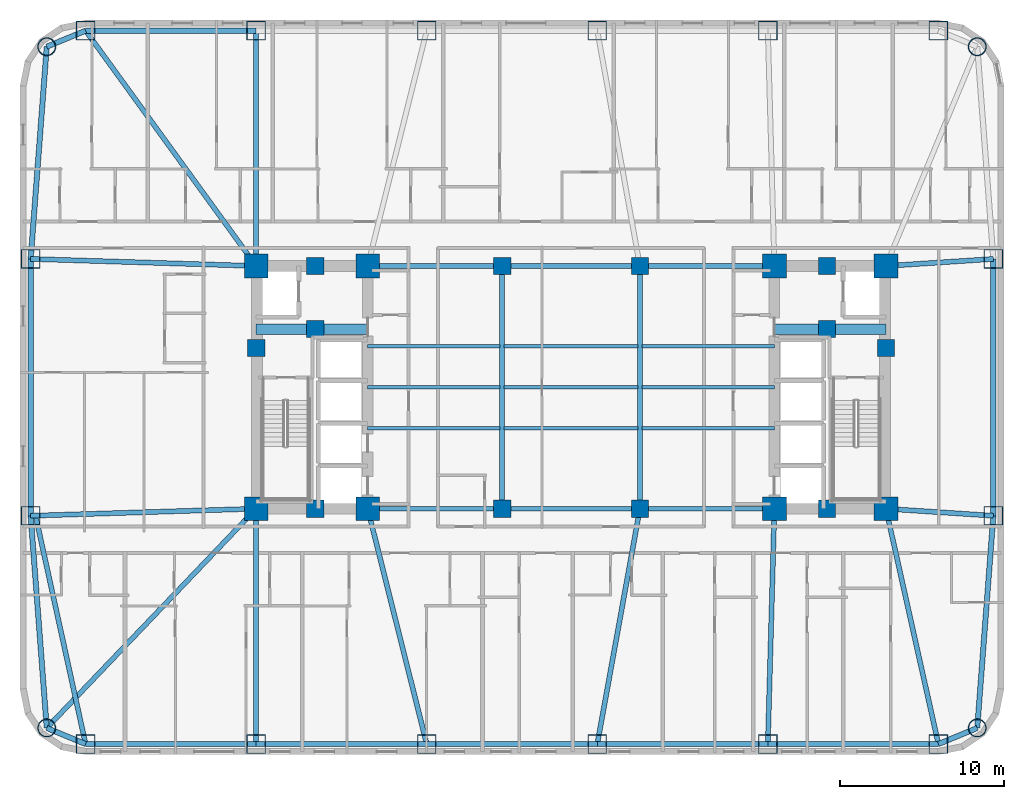
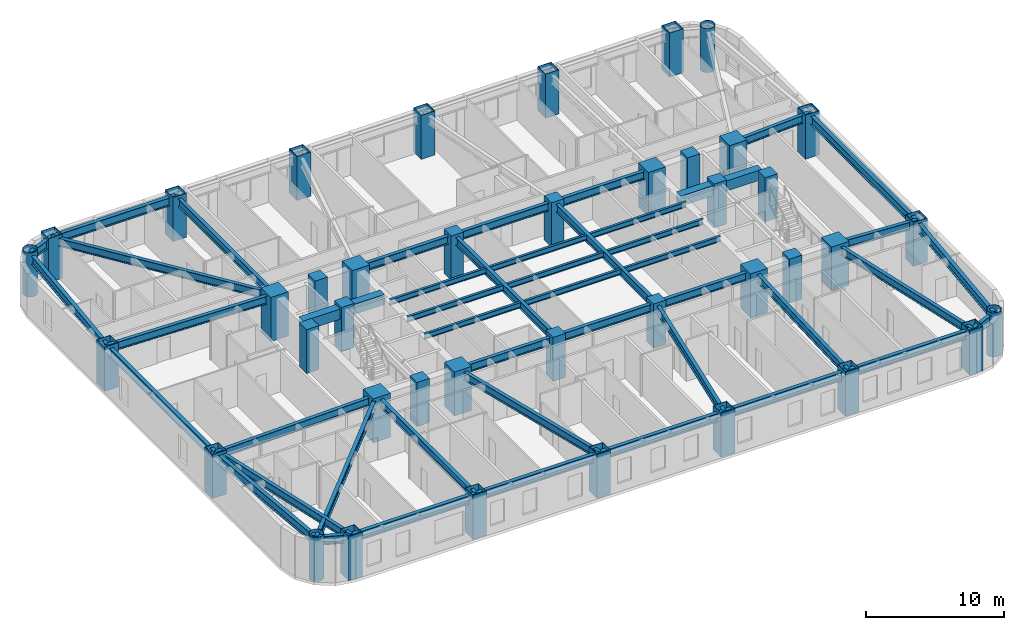
# One storey, part 1 of 11: 46 beams, 40 columns.
"""IFC4 building model written with IfcOpenShell, lengths in metres."""

from ifc_helpers import new_model, si_unit, direction, frame, origin, origin_2d, place, context, subcontext, project, spatial, rectangle, hollow_rectangle, hollow_circle, i_section, extrude, material, material_profile, profile_set, type_object, element, save


model = new_model("IFC4")

# Units and contexts
model_context = context("Model", 3, precision=1e-05, world=origin(), true_north=direction((0.0, 1.0)))
body_context = subcontext(model_context, "Body", "Model", "MODEL_VIEW")
ifc_project = project(units=[si_unit("LENGTHUNIT", "METRE"), si_unit("AREAUNIT", "SQUARE_METRE"), si_unit("VOLUMEUNIT", "CUBIC_METRE"), si_unit("PLANEANGLEUNIT", "RADIAN"), si_unit("MASSUNIT", "GRAM", prefix="KILO")], contexts=[model_context])

# Site, building, storey
site_placement = place(None, origin())
site = spatial("IfcSite", under=ifc_project, at=site_placement, CompositionType="ELEMENT")
building_placement = place(site_placement, origin())
building = spatial("IfcBuilding", under=site, at=building_placement, Name="Voryun Gate Residences", CompositionType="ELEMENT")
storey_placement = place(building_placement, frame((0.0, 0.0, 45.5)))
storey = spatial("IfcBuildingStorey", under=building, at=storey_placement, Name="L10", CompositionType="ELEMENT", Elevation=45.5)

# Columns
ifc_material_1 = material(Name="Concrete C50/60", Category="concrete")
ifc_material_profile_1 = material_profile(ifc_material_1, rectangle(XDim=1.050048828125, YDim=1.050048828125, at=origin_2d()), Name="RC-1050x1050")
ifc_profile_set_1 = profile_set([ifc_material_profile_1], Name="Concrete C50/60")
column_type_1 = type_object("IfcColumnType", Name="COL_CORE_1050", PredefinedType="COLUMN", material=ifc_profile_set_1)
for number, where, z_axis, x_axis, name in (
    (1, (-19.199951171875, 2.39990234375, 0.0), (0.0, 0.0, 1.0), (1.0, 0.0, 0.0), "L10 Core boundary column WC-MW"),
    (2, (-15.60009765625, -7.39990234375, 0.0), (0.0, 0.0, 1.0), (1.0, 0.0, 0.0), "L10 Core boundary column WC-SM"),
    (3, (-15.60009765625, 7.39990234375, 0.0), (0.0, 0.0, 1.0), (1.0, 0.0, 0.0), "L10 Core boundary column WC-NM"),
    (4, (-15.60009765625, 3.550048828125, 0.0), (0.0, 0.0, 1.0), (1.0, 0.0, 0.0), "L10 Core boundary column WC-MM"),
    (5, (15.60009765625, 3.550048828125, 0.0), (0.0, 0.0, 1.0), (1.0, 0.0, 0.0), "L10 Core boundary column EC-MM"),
    (6, (15.60009765625, -7.39990234375, 0.0), (0.0, 0.0, 1.0), (1.0, 0.0, 0.0), "L10 Core boundary column EC-SM"),
    (7, (15.60009765625, 7.39990234375, 0.0), (0.0, 0.0, 1.0), (1.0, 0.0, 0.0), "L10 Core boundary column EC-NM"),
    (8, (19.199951171875, 2.39990234375, 0.0), (0.0, 0.0, 1.0), (1.0, 0.0, 0.0), "L10 Core boundary column EC-ME"),
    (9, (-4.199951171875, -7.39990234375, 0.0), (0.0, 0.0, 1.0), (1.0, 0.0, 0.0), "L10 Interior spine column SP-WS"),
    (10, (-4.199951171875, 7.39990234375, 0.0), (0.0, 0.0, 1.0), (1.0, 0.0, 0.0), "L10 Interior spine column SP-WN"),
    (11, (4.199951171875, -7.39990234375, 0.0), (0.0, 0.0, 1.0), (1.0, 0.0, 0.0), "L10 Interior spine column SP-ES"),
    (12, (4.199951171875, 7.39990234375, 0.0), (0.0, 0.0, 1.0), (1.0, 0.0, 0.0), "L10 Interior spine column SP-EN"),
):
    element("IfcColumn", number, at=place(storey_placement, frame(where, z_axis=z_axis, x_axis=x_axis)), inside=storey, type_object=column_type_1, Name=name, PredefinedType="COLUMN", context=body_context, shape_type="SweptSolid", body=[
        extrude(rectangle(XDim=1.050048828125, YDim=1.050048828125, at=origin_2d()), origin(), (0.0, 0.0, 1.0), 3.89990234375),
    ])
ifc_material_2 = material(Name="Steel SM420", Category="steel")
ifc_material_profile_2 = material_profile(ifc_material_2, hollow_circle(Radius=0.550048828125, WallThickness=0.035888671875, at=origin_2d()), Name="CHS-1100x36")
ifc_profile_set_2 = profile_set([ifc_material_profile_2], Name="Steel SM420")
column_type_2 = type_object("IfcColumnType", Name="COL_CRN_1100", PredefinedType="COLUMN", material=ifc_profile_set_2)
for number, where, z_axis, x_axis, name in (
    (13, (24.768798828125, -20.768798828125, 0.0), (0.0, 0.0, 1.0), (1.0, 0.0, 0.0), "L10 Exoskeleton column CSE"),
    (14, (24.768798828125, 20.768798828125, 0.0), (0.0, 0.0, 1.0), (1.0, 0.0, 0.0), "L10 Exoskeleton column CNE"),
    (15, (-31.96875, 20.768798828125, 0.0), (0.0, 0.0, 1.0), (1.0, 0.0, 0.0), "L10 Exoskeleton column CNW"),
    (16, (-31.96875, -20.768798828125, 0.0), (0.0, 0.0, 1.0), (1.0, 0.0, 0.0), "L10 Exoskeleton column CSW"),
):
    element("IfcColumn", number, at=place(storey_placement, frame(where, z_axis=z_axis, x_axis=x_axis)), inside=storey, type_object=column_type_2, Name=name, PredefinedType="COLUMN", context=body_context, shape_type="SweptSolid", body=[
        extrude(hollow_circle(Radius=0.550048828125, WallThickness=0.035888671875, at=origin_2d()), origin(), (0.0, 0.0, 1.0), 3.89990234375),
    ])
ifc_material_3 = material(Name="Steel SM420", Category="steel")
ifc_material_profile_3 = material_profile(ifc_material_3, hollow_rectangle(XDim=1.14990234375, YDim=1.14990234375, WallThickness=0.0400390625, at=origin_2d()), Name="BOX-1150x1150x40")
ifc_profile_set_3 = profile_set([ifc_material_profile_3], Name="Steel SM420")
column_type_3 = type_object("IfcColumnType", Name="COL_EXO_B1", PredefinedType="COLUMN", material=ifc_profile_set_3)
for number, where, z_axis, x_axis, name in (
    (17, (-29.60009765625, -21.75, 0.0), (0.0, 0.0, 1.0), (1.0, 0.0, 0.0), "L10 Exoskeleton column S1"),
    (18, (-19.199951171875, -21.75, 0.0), (0.0, 0.0, 1.0), (1.0, 0.0, 0.0), "L10 Exoskeleton column S2"),
    (19, (-8.800048828125, -21.75, 0.0), (0.0, 0.0, 1.0), (1.0, 0.0, 0.0), "L10 Exoskeleton column S3"),
    (20, (1.60009765625, -21.75, 0.0), (0.0, 0.0, 1.0), (1.0, 0.0, 0.0), "L10 Exoskeleton column S4"),
    (21, (12.0, -21.75, 0.0), (0.0, 0.0, 1.0), (1.0, 0.0, 0.0), "L10 Exoskeleton column S5"),
    (22, (22.39990234375, -21.75, 0.0), (0.0, 0.0, 1.0), (1.0, 0.0, 0.0), "L10 Exoskeleton column S6"),
    (23, (25.75, -7.830078125, 0.0), (0.0, 0.0, 1.0), (1.0, 0.0, 0.0), "L10 Exoskeleton column E1"),
    (24, (25.75, 7.830078125, 0.0), (0.0, 0.0, 1.0), (1.0, 0.0, 0.0), "L10 Exoskeleton column E2"),
    (25, (22.39990234375, 21.75, 0.0), (0.0, 0.0, 1.0), (1.0, 0.0, 0.0), "L10 Exoskeleton column N1"),
    (26, (12.0, 21.75, 0.0), (0.0, 0.0, 1.0), (1.0, 0.0, 0.0), "L10 Exoskeleton column N2"),
    (27, (1.60009765625, 21.75, 0.0), (0.0, 0.0, 1.0), (1.0, 0.0, 0.0), "L10 Exoskeleton column N3"),
    (28, (-8.800048828125, 21.75, 0.0), (0.0, 0.0, 1.0), (1.0, 0.0, 0.0), "L10 Exoskeleton column N4"),
    (29, (-19.199951171875, 21.75, 0.0), (0.0, 0.0, 1.0), (1.0, 0.0, 0.0), "L10 Exoskeleton column N5"),
    (30, (-29.60009765625, 21.75, 0.0), (0.0, 0.0, 1.0), (1.0, 0.0, 0.0), "L10 Exoskeleton column N6"),
    (31, (-32.949951171875, 7.830078125, 0.0), (0.0, 0.0, 1.0), (1.0, 0.0, 0.0), "L10 Exoskeleton column W1"),
    (32, (-32.949951171875, -7.830078125, 0.0), (0.0, 0.0, 1.0), (1.0, 0.0, 0.0), "L10 Exoskeleton column W2"),
):
    element("IfcColumn", number, at=place(storey_placement, frame(where, z_axis=z_axis, x_axis=x_axis)), inside=storey, type_object=column_type_3, Name=name, PredefinedType="COLUMN", context=body_context, shape_type="SweptSolid", body=[
        extrude(hollow_rectangle(XDim=1.14990234375, YDim=1.14990234375, WallThickness=0.0400390625, at=origin_2d()), origin(), (0.0, 0.0, 1.0), 3.89990234375),
    ])
ifc_material_4 = material(Name="Concrete C60/75", Category="concrete")
ifc_material_profile_4 = material_profile(ifc_material_4, rectangle(XDim=1.449951171875, YDim=1.449951171875, at=origin_2d()), Name="RC-1450x1450")
ifc_profile_set_4 = profile_set([ifc_material_profile_4], Name="Concrete C60/75")
column_type_4 = type_object("IfcColumnType", Name="COL_MEGA_1450", PredefinedType="COLUMN", material=ifc_profile_set_4)
for number, where, z_axis, x_axis, name in (
    (33, (-19.199951171875, -7.39990234375, 0.0), (0.0, 0.0, 1.0), (1.0, 0.0, 0.0), "L10 Core boundary column WC-SW"),
    (34, (-19.199951171875, 7.39990234375, 0.0), (0.0, 0.0, 1.0), (1.0, 0.0, 0.0), "L10 Core boundary column WC-NW"),
    (35, (-12.39990234375, -7.39990234375, 0.0), (0.0, 0.0, 1.0), (1.0, 0.0, 0.0), "L10 Core boundary column WC-SE"),
    (36, (-12.39990234375, 7.39990234375, 0.0), (0.0, 0.0, 1.0), (1.0, 0.0, 0.0), "L10 Core boundary column WC-NE"),
    (37, (12.39990234375, -7.39990234375, 0.0), (0.0, 0.0, 1.0), (1.0, 0.0, 0.0), "L10 Core boundary column EC-SW"),
    (38, (12.39990234375, 7.39990234375, 0.0), (0.0, 0.0, 1.0), (1.0, 0.0, 0.0), "L10 Core boundary column EC-NW"),
    (39, (19.199951171875, -7.39990234375, 0.0), (0.0, 0.0, 1.0), (1.0, 0.0, 0.0), "L10 Core boundary column EC-SE"),
    (40, (19.199951171875, 7.39990234375, 0.0), (0.0, 0.0, 1.0), (1.0, 0.0, 0.0), "L10 Core boundary column EC-NE"),
):
    element("IfcColumn", number, at=place(storey_placement, frame(where, z_axis=z_axis, x_axis=x_axis)), inside=storey, type_object=column_type_4, Name=name, PredefinedType="COLUMN", context=body_context, shape_type="SweptSolid", body=[
        extrude(rectangle(XDim=1.449951171875, YDim=1.449951171875, at=origin_2d()), origin(), (0.0, 0.0, 1.0), 3.89990234375),
    ])

# Beams
ifc_material_5 = material(Name="Concrete C60/75", Category="concrete")
ifc_material_profile_5 = material_profile(ifc_material_5, rectangle(XDim=0.64990234375, YDim=0.89990234375, at=origin_2d()), Name="RC-650x900")
ifc_profile_set_5 = profile_set([ifc_material_profile_5], Name="Concrete C60/75")
beam_type_1 = type_object("IfcBeamType", Name="BM_COUP_RC900", PredefinedType="LINTEL", material=ifc_profile_set_5)
for number, where, z_axis, x_axis, name in (
    (41, (-19.199951171875, 3.550048828125, 3.199951171875), (1.0, 0.0, 0.0), (0.0, 1.0, 0.0), "BM-L10-WC1"),
    (42, (12.39990234375, 3.550048828125, 3.199951171875), (1.0, 0.0, 0.0), (0.0, 1.0, 0.0), "BM-L10-EC1"),
):
    element("IfcBeam", number, at=place(storey_placement, frame(where, z_axis=z_axis, x_axis=x_axis)), inside=storey, type_object=beam_type_1, Name=name, PredefinedType="LINTEL", context=body_context, shape_type="SweptSolid", body=[
        extrude(rectangle(XDim=0.64990234375, YDim=0.89990234375, at=origin_2d()), origin(), (0.0, 0.0, 1.0), 6.800048828125),
    ])
ifc_material_6 = material(Name="Steel SM355", Category="steel")
ifc_material_profile_6 = material_profile(ifc_material_6, i_section(OverallWidth=0.320068359375, OverallDepth=0.75, WebThickness=0.01611328125, FlangeThickness=0.028076171875, FilletRadius=0.01806640625, at=origin_2d()), Name="H-750x320x16x28")
ifc_profile_set_6 = profile_set([ifc_material_profile_6], Name="Steel SM355")
beam_type_2 = type_object("IfcBeamType", Name="BM_EXO_SPANDREL_L", PredefinedType="SPANDREL", material=ifc_profile_set_6)
beam_1_placement = place(storey_placement, frame((-29.60009765625, -21.75, 3.27490234375), z_axis=(1.0, 0.0, 0.0), x_axis=(0.0, 1.0, 0.0)))
element("IfcBeam", 43, at=beam_1_placement, inside=storey, type_object=beam_type_2, Name="BM-L10-SPAND-01", PredefinedType="SPANDREL", context=body_context, shape_type="SweptSolid", body=[
    extrude(i_section(OverallWidth=0.320068359375, OverallDepth=0.75, WebThickness=0.01611328125, FlangeThickness=0.028076171875, FilletRadius=0.01806640625, at=origin_2d()), origin(), (0.0, 0.0, 1.0), 10.400146484375),
])
beam_2_placement = place(storey_placement, frame((-19.199951171875, -21.75, 3.27490234375), z_axis=(1.0, 0.0, 0.0), x_axis=(0.0, 1.0, 0.0)))
element("IfcBeam", 44, at=beam_2_placement, inside=storey, type_object=beam_type_2, Name="BM-L10-SPAND-02", PredefinedType="SPANDREL", context=body_context, shape_type="SweptSolid", body=[
    extrude(i_section(OverallWidth=0.320068359375, OverallDepth=0.75, WebThickness=0.01611328125, FlangeThickness=0.028076171875, FilletRadius=0.01806640625, at=origin_2d()), origin(), (0.0, 0.0, 1.0), 10.39990234375),
])
beam_3_placement = place(storey_placement, frame((-8.800048828125, -21.75, 3.27490234375), z_axis=(1.0, 0.0, 0.0), x_axis=(0.0, 1.0, 0.0)))
element("IfcBeam", 45, at=beam_3_placement, inside=storey, type_object=beam_type_2, Name="BM-L10-SPAND-03", PredefinedType="SPANDREL", context=body_context, shape_type="SweptSolid", body=[
    extrude(i_section(OverallWidth=0.320068359375, OverallDepth=0.75, WebThickness=0.01611328125, FlangeThickness=0.028076171875, FilletRadius=0.01806640625, at=origin_2d()), origin(), (0.0, 0.0, 1.0), 10.400146484375),
])
for number, where, z_axis, x_axis, name in (
    (46, (1.60009765625, -21.75, 3.27490234375), (1.0, 0.0, 0.0), (0.0, 1.0, 0.0), "BM-L10-SPAND-04"),
    (47, (12.0, -21.75, 3.27490234375), (1.0, 0.0, 0.0), (0.0, 1.0, 0.0), "BM-L10-SPAND-05"),
):
    element("IfcBeam", number, at=place(storey_placement, frame(where, z_axis=z_axis, x_axis=x_axis)), inside=storey, type_object=beam_type_2, Name=name, PredefinedType="SPANDREL", context=body_context, shape_type="SweptSolid", body=[
        extrude(i_section(OverallWidth=0.320068359375, OverallDepth=0.75, WebThickness=0.01611328125, FlangeThickness=0.028076171875, FilletRadius=0.01806640625, at=origin_2d()), origin(), (0.0, 0.0, 1.0), 10.39990234375),
    ])
beam_4_placement = place(storey_placement, frame((22.39990234375, -21.75, 3.27490234375), z_axis=(0.923883376753, 0.382674151414, 0.0), x_axis=(-0.382674151414, 0.923883376753, 0.0)))
element("IfcBeam", 48, at=beam_4_placement, inside=storey, type_object=beam_type_2, Name="BM-L10-SPAND-06", PredefinedType="SPANDREL", context=body_context, shape_type="SweptSolid", body=[
    extrude(i_section(OverallWidth=0.320068359375, OverallDepth=0.75, WebThickness=0.01611328125, FlangeThickness=0.028076171875, FilletRadius=0.01806640625, at=origin_2d()), origin(), (0.0, 0.0, 1.0), 2.56396484375),
])
beam_5_placement = place(storey_placement, frame((24.768798828125, -20.768798828125, 3.27490234375), z_axis=(0.075617360159, 0.997136908776, 0.0), x_axis=(-0.997136908776, 0.075617360159, 0.0)))
element("IfcBeam", 49, at=beam_5_placement, inside=storey, type_object=beam_type_2, Name="BM-L10-SPAND-07", PredefinedType="SPANDREL", context=body_context, shape_type="SweptSolid", body=[
    extrude(i_section(OverallWidth=0.320068359375, OverallDepth=0.75, WebThickness=0.01611328125, FlangeThickness=0.028076171875, FilletRadius=0.01806640625, at=origin_2d()), origin(), (0.0, 0.0, 1.0), 12.975830078125),
])
beam_6_placement = place(storey_placement, frame((25.75, -7.830078125, 3.27490234375), z_axis=(0.0, 1.0, 0.0), x_axis=(-1.0, 0.0, 0.0)))
element("IfcBeam", 50, at=beam_6_placement, inside=storey, type_object=beam_type_2, Name="BM-L10-SPAND-08", PredefinedType="SPANDREL", context=body_context, shape_type="SweptSolid", body=[
    extrude(i_section(OverallWidth=0.320068359375, OverallDepth=0.75, WebThickness=0.01611328125, FlangeThickness=0.028076171875, FilletRadius=0.01806640625, at=origin_2d()), origin(), (0.0, 0.0, 1.0), 15.66015625),
])
beam_7_placement = place(storey_placement, frame((-19.199951171875, 21.75, 3.27490234375), z_axis=(-1.0, 0.0, 0.0), x_axis=(0.0, -1.0, 0.0)))
element("IfcBeam", 51, at=beam_7_placement, inside=storey, type_object=beam_type_2, Name="BM-L10-SPAND-15", PredefinedType="SPANDREL", context=body_context, shape_type="SweptSolid", body=[
    extrude(i_section(OverallWidth=0.320068359375, OverallDepth=0.75, WebThickness=0.01611328125, FlangeThickness=0.028076171875, FilletRadius=0.01806640625, at=origin_2d()), origin(), (0.0, 0.0, 1.0), 10.400146484375),
])
beam_8_placement = place(storey_placement, frame((-29.60009765625, 21.75, 3.27490234375), z_axis=(-0.92386943149, -0.382707817477, 0.0), x_axis=(0.382707817477, -0.92386943149, 0.0)))
element("IfcBeam", 52, at=beam_8_placement, inside=storey, type_object=beam_type_2, Name="BM-L10-SPAND-16", PredefinedType="SPANDREL", context=body_context, shape_type="SweptSolid", body=[
    extrude(i_section(OverallWidth=0.320068359375, OverallDepth=0.75, WebThickness=0.01611328125, FlangeThickness=0.028076171875, FilletRadius=0.01806640625, at=origin_2d()), origin(), (0.0, 0.0, 1.0), 2.563720703125),
])
beam_9_placement = place(storey_placement, frame((-31.96875, 20.768798828125, 3.27490234375), z_axis=(-0.075617360159, -0.997136908776, 0.0), x_axis=(0.997136908776, -0.075617360159, 0.0)))
element("IfcBeam", 53, at=beam_9_placement, inside=storey, type_object=beam_type_2, Name="BM-L10-SPAND-17", PredefinedType="SPANDREL", context=body_context, shape_type="SweptSolid", body=[
    extrude(i_section(OverallWidth=0.320068359375, OverallDepth=0.75, WebThickness=0.01611328125, FlangeThickness=0.028076171875, FilletRadius=0.01806640625, at=origin_2d()), origin(), (0.0, 0.0, 1.0), 12.975830078125),
])
beam_10_placement = place(storey_placement, frame((-32.949951171875, 7.830078125, 3.27490234375), z_axis=(0.0, -1.0, 0.0), x_axis=(1.0, 0.0, 0.0)))
element("IfcBeam", 54, at=beam_10_placement, inside=storey, type_object=beam_type_2, Name="BM-L10-SPAND-18", PredefinedType="SPANDREL", context=body_context, shape_type="SweptSolid", body=[
    extrude(i_section(OverallWidth=0.320068359375, OverallDepth=0.75, WebThickness=0.01611328125, FlangeThickness=0.028076171875, FilletRadius=0.01806640625, at=origin_2d()), origin(), (0.0, 0.0, 1.0), 15.66015625),
])
beam_11_placement = place(storey_placement, frame((-32.949951171875, -7.830078125, 3.27490234375), z_axis=(0.075617360159, -0.997136908776, 0.0), x_axis=(0.997136908776, 0.075617360159, 0.0)))
element("IfcBeam", 55, at=beam_11_placement, inside=storey, type_object=beam_type_2, Name="BM-L10-SPAND-19", PredefinedType="SPANDREL", context=body_context, shape_type="SweptSolid", body=[
    extrude(i_section(OverallWidth=0.320068359375, OverallDepth=0.75, WebThickness=0.01611328125, FlangeThickness=0.028076171875, FilletRadius=0.01806640625, at=origin_2d()), origin(), (0.0, 0.0, 1.0), 12.975830078125),
])
beam_12_placement = place(storey_placement, frame((-31.96875, -20.768798828125, 3.27490234375), z_axis=(0.92386943149, -0.382707817477, 0.0), x_axis=(0.382707817477, 0.92386943149, 0.0)))
element("IfcBeam", 56, at=beam_12_placement, inside=storey, type_object=beam_type_2, Name="BM-L10-SPAND-20", PredefinedType="SPANDREL", context=body_context, shape_type="SweptSolid", body=[
    extrude(i_section(OverallWidth=0.320068359375, OverallDepth=0.75, WebThickness=0.01611328125, FlangeThickness=0.028076171875, FilletRadius=0.01806640625, at=origin_2d()), origin(), (0.0, 0.0, 1.0), 2.563720703125),
])
ifc_material_7 = material(Name="Steel SM355", Category="steel")
ifc_material_profile_7 = material_profile(ifc_material_7, i_section(OverallWidth=0.300048828125, OverallDepth=0.699951171875, WebThickness=0.012939453125, FlangeThickness=0.02392578125, FilletRadius=0.01806640625, at=origin_2d()), Name="H-700x300x13x24")
ifc_profile_set_7 = profile_set([ifc_material_profile_7], Name="Steel SM355")
beam_type_3 = type_object("IfcBeamType", Name="BM_GIRD_700", PredefinedType="USERDEFINED", material=ifc_profile_set_7)
beam_13_placement = place(storey_placement, frame((-12.39990234375, -7.39990234375, 3.300048828125), z_axis=(1.0, 0.0, 0.0), x_axis=(0.0, 1.0, 0.0)))
element("IfcBeam", 57, at=beam_13_placement, inside=storey, type_object=beam_type_3, Name="BM-L10-SPG1-S", ObjectType="GIRDER", PredefinedType="USERDEFINED", context=body_context, shape_type="SweptSolid", body=[
    extrude(i_section(OverallWidth=0.300048828125, OverallDepth=0.699951171875, WebThickness=0.012939453125, FlangeThickness=0.02392578125, FilletRadius=0.01806640625, at=origin_2d()), origin(), (0.0, 0.0, 1.0), 8.199951171875),
])
beam_14_placement = place(storey_placement, frame((-4.199951171875, -7.39990234375, 3.300048828125), z_axis=(1.0, 0.0, 0.0), x_axis=(0.0, 1.0, 0.0)))
element("IfcBeam", 58, at=beam_14_placement, inside=storey, type_object=beam_type_3, Name="BM-L10-SPG2-S", ObjectType="GIRDER", PredefinedType="USERDEFINED", context=body_context, shape_type="SweptSolid", body=[
    extrude(i_section(OverallWidth=0.300048828125, OverallDepth=0.699951171875, WebThickness=0.012939453125, FlangeThickness=0.02392578125, FilletRadius=0.01806640625, at=origin_2d()), origin(), (0.0, 0.0, 1.0), 8.39990234375),
])
for number, where, z_axis, x_axis, name in (
    (59, (4.199951171875, -7.39990234375, 3.300048828125), (1.0, 0.0, 0.0), (0.0, 1.0, 0.0), "BM-L10-SPG3-S"),
    (60, (-12.39990234375, 7.39990234375, 3.300048828125), (1.0, 0.0, 0.0), (0.0, 1.0, 0.0), "BM-L10-SPG1-N"),
):
    element("IfcBeam", number, at=place(storey_placement, frame(where, z_axis=z_axis, x_axis=x_axis)), inside=storey, type_object=beam_type_3, Name=name, ObjectType="GIRDER", PredefinedType="USERDEFINED", context=body_context, shape_type="SweptSolid", body=[
        extrude(i_section(OverallWidth=0.300048828125, OverallDepth=0.699951171875, WebThickness=0.012939453125, FlangeThickness=0.02392578125, FilletRadius=0.01806640625, at=origin_2d()), origin(), (0.0, 0.0, 1.0), 8.199951171875),
    ])
beam_15_placement = place(storey_placement, frame((-4.199951171875, 7.39990234375, 3.300048828125), z_axis=(1.0, 0.0, 0.0), x_axis=(0.0, 1.0, 0.0)))
element("IfcBeam", 61, at=beam_15_placement, inside=storey, type_object=beam_type_3, Name="BM-L10-SPG2-N", ObjectType="GIRDER", PredefinedType="USERDEFINED", context=body_context, shape_type="SweptSolid", body=[
    extrude(i_section(OverallWidth=0.300048828125, OverallDepth=0.699951171875, WebThickness=0.012939453125, FlangeThickness=0.02392578125, FilletRadius=0.01806640625, at=origin_2d()), origin(), (0.0, 0.0, 1.0), 8.39990234375),
])
beam_16_placement = place(storey_placement, frame((4.199951171875, 7.39990234375, 3.300048828125), z_axis=(1.0, 0.0, 0.0), x_axis=(0.0, 1.0, 0.0)))
element("IfcBeam", 62, at=beam_16_placement, inside=storey, type_object=beam_type_3, Name="BM-L10-SPG3-N", ObjectType="GIRDER", PredefinedType="USERDEFINED", context=body_context, shape_type="SweptSolid", body=[
    extrude(i_section(OverallWidth=0.300048828125, OverallDepth=0.699951171875, WebThickness=0.012939453125, FlangeThickness=0.02392578125, FilletRadius=0.01806640625, at=origin_2d()), origin(), (0.0, 0.0, 1.0), 8.199951171875),
])
for number, where, z_axis, x_axis, name in (
    (63, (-4.199951171875, -7.39990234375, 3.300048828125), (0.0, 1.0, 0.0), (-1.0, 0.0, 0.0), "BM-L10-SPX-W"),
    (64, (4.199951171875, -7.39990234375, 3.300048828125), (0.0, 1.0, 0.0), (-1.0, 0.0, 0.0), "BM-L10-SPX-E"),
):
    element("IfcBeam", number, at=place(storey_placement, frame(where, z_axis=z_axis, x_axis=x_axis)), inside=storey, type_object=beam_type_3, Name=name, ObjectType="GIRDER", PredefinedType="USERDEFINED", context=body_context, shape_type="SweptSolid", body=[
        extrude(i_section(OverallWidth=0.300048828125, OverallDepth=0.699951171875, WebThickness=0.012939453125, FlangeThickness=0.02392578125, FilletRadius=0.01806640625, at=origin_2d()), origin(), (0.0, 0.0, 1.0), 14.7998046875),
    ])
beam_17_placement = place(storey_placement, frame((-32.64990234375, -7.830078125, 3.300048828125), z_axis=(0.214019782918, -0.976829326198, 0.0), x_axis=(0.976829326198, 0.214019782918, 0.0)))
element("IfcBeam", 65, at=beam_17_placement, inside=storey, type_object=beam_type_3, Name="BM-L10-RAD-S1", ObjectType="GIRDER", PredefinedType="USERDEFINED", context=body_context, shape_type="SweptSolid", body=[
    extrude(i_section(OverallWidth=0.300048828125, OverallDepth=0.699951171875, WebThickness=0.012939453125, FlangeThickness=0.02392578125, FilletRadius=0.01806640625, at=origin_2d()), origin(), (0.0, 0.0, 1.0), 14.25),
])
beam_18_placement = place(storey_placement, frame((-19.199951171875, -7.39990234375, 3.300048828125), z_axis=(0.0, -1.0, 0.0), x_axis=(1.0, 0.0, 0.0)))
element("IfcBeam", 66, at=beam_18_placement, inside=storey, type_object=beam_type_3, Name="BM-L10-RAD-S2", ObjectType="GIRDER", PredefinedType="USERDEFINED", context=body_context, shape_type="SweptSolid", body=[
    extrude(i_section(OverallWidth=0.300048828125, OverallDepth=0.699951171875, WebThickness=0.012939453125, FlangeThickness=0.02392578125, FilletRadius=0.01806640625, at=origin_2d()), origin(), (0.0, 0.0, 1.0), 14.35009765625),
])
beam_19_placement = place(storey_placement, frame((-12.39990234375, -7.39990234375, 3.300048828125), z_axis=(0.243319869291, -0.969946102218, 0.0), x_axis=(0.969946102218, 0.243319869291, 0.0)))
element("IfcBeam", 67, at=beam_19_placement, inside=storey, type_object=beam_type_3, Name="BM-L10-RAD-S3", ObjectType="GIRDER", PredefinedType="USERDEFINED", context=body_context, shape_type="SweptSolid", body=[
    extrude(i_section(OverallWidth=0.300048828125, OverallDepth=0.699951171875, WebThickness=0.012939453125, FlangeThickness=0.02392578125, FilletRadius=0.01806640625, at=origin_2d()), origin(), (0.0, 0.0, 1.0), 14.794677734375),
])
beam_20_placement = place(storey_placement, frame((4.199951171875, -7.39990234375, 3.300048828125), z_axis=(-0.178271088758, -0.983981411874, 0.0), x_axis=(0.983981411874, -0.178271088758, 0.0)))
element("IfcBeam", 68, at=beam_20_placement, inside=storey, type_object=beam_type_3, Name="BM-L10-RAD-S4", ObjectType="GIRDER", PredefinedType="USERDEFINED", context=body_context, shape_type="SweptSolid", body=[
    extrude(i_section(OverallWidth=0.300048828125, OverallDepth=0.699951171875, WebThickness=0.012939453125, FlangeThickness=0.02392578125, FilletRadius=0.01806640625, at=origin_2d()), origin(), (0.0, 0.0, 1.0), 14.583740234375),
])
beam_21_placement = place(storey_placement, frame((12.39990234375, -7.39990234375, 3.300048828125), z_axis=(-0.0278567548, -0.999611925305, 0.0), x_axis=(0.999611925305, -0.0278567548, 0.0)))
element("IfcBeam", 69, at=beam_21_placement, inside=storey, type_object=beam_type_3, Name="BM-L10-RAD-S5", ObjectType="GIRDER", PredefinedType="USERDEFINED", context=body_context, shape_type="SweptSolid", body=[
    extrude(i_section(OverallWidth=0.300048828125, OverallDepth=0.699951171875, WebThickness=0.012939453125, FlangeThickness=0.02392578125, FilletRadius=0.01806640625, at=origin_2d()), origin(), (0.0, 0.0, 1.0), 14.355712890625),
])
beam_22_placement = place(storey_placement, frame((19.199951171875, -7.39990234375, 3.300048828125), z_axis=(0.217645991352, -0.976027777498, 0.0), x_axis=(0.976027777498, 0.217645991352, 0.0)))
element("IfcBeam", 70, at=beam_22_placement, inside=storey, type_object=beam_type_3, Name="BM-L10-RAD-S6", ObjectType="GIRDER", PredefinedType="USERDEFINED", context=body_context, shape_type="SweptSolid", body=[
    extrude(i_section(OverallWidth=0.300048828125, OverallDepth=0.699951171875, WebThickness=0.012939453125, FlangeThickness=0.02392578125, FilletRadius=0.01806640625, at=origin_2d()), origin(), (0.0, 0.0, 1.0), 14.70263671875),
])
for number, where, z_axis, x_axis, name in (
    (71, (19.199951171875, -7.39990234375, 3.300048828125), (0.997850335415, -0.06553402255, 0.0), (0.06553402255, 0.997850335415, 0.0), "BM-L10-RAD-E1"),
    (72, (19.199951171875, 7.39990234375, 3.300048828125), (0.997850335415, 0.06553402255, 0.0), (-0.06553402255, 0.997850335415, 0.0), "BM-L10-RAD-E2"),
):
    element("IfcBeam", number, at=place(storey_placement, frame(where, z_axis=z_axis, x_axis=x_axis)), inside=storey, type_object=beam_type_3, Name=name, ObjectType="GIRDER", PredefinedType="USERDEFINED", context=body_context, shape_type="SweptSolid", body=[
        extrude(i_section(OverallWidth=0.300048828125, OverallDepth=0.699951171875, WebThickness=0.012939453125, FlangeThickness=0.02392578125, FilletRadius=0.01806640625, at=origin_2d()), origin(), (0.0, 0.0, 1.0), 6.564208984375),
    ])
beam_23_placement = place(storey_placement, frame((-19.199951171875, 7.39990234375, 3.300048828125), z_axis=(0.0, 1.0, 0.0), x_axis=(-1.0, 0.0, 0.0)))
element("IfcBeam", 73, at=beam_23_placement, inside=storey, type_object=beam_type_3, Name="BM-L10-RAD-N5", ObjectType="GIRDER", PredefinedType="USERDEFINED", context=body_context, shape_type="SweptSolid", body=[
    extrude(i_section(OverallWidth=0.300048828125, OverallDepth=0.699951171875, WebThickness=0.012939453125, FlangeThickness=0.02392578125, FilletRadius=0.01806640625, at=origin_2d()), origin(), (0.0, 0.0, 1.0), 14.35009765625),
])
beam_24_placement = place(storey_placement, frame((-19.199951171875, 7.39990234375, 3.300048828125), z_axis=(-0.586831668391, 0.80970895572, 0.0), x_axis=(-0.80970895572, -0.586831668391, 0.0)))
element("IfcBeam", 74, at=beam_24_placement, inside=storey, type_object=beam_type_3, Name="BM-L10-RAD-N6", ObjectType="GIRDER", PredefinedType="USERDEFINED", context=body_context, shape_type="SweptSolid", body=[
    extrude(i_section(OverallWidth=0.300048828125, OverallDepth=0.699951171875, WebThickness=0.012939453125, FlangeThickness=0.02392578125, FilletRadius=0.01806640625, at=origin_2d()), origin(), (0.0, 0.0, 1.0), 17.72265625),
])
for number, where, z_axis, x_axis, name in (
    (75, (-19.199951171875, 7.39990234375, 3.300048828125), (-0.999510967353, 0.031270211727, 0.0), (-0.031270211727, -0.999510967353, 0.0), "BM-L10-RAD-W1"),
    (76, (-19.199951171875, -7.39990234375, 3.300048828125), (-0.999510967353, -0.031270211727, 0.0), (0.031270211727, -0.999510967353, 0.0), "BM-L10-RAD-W2"),
):
    element("IfcBeam", number, at=place(storey_placement, frame(where, z_axis=z_axis, x_axis=x_axis)), inside=storey, type_object=beam_type_3, Name=name, ObjectType="GIRDER", PredefinedType="USERDEFINED", context=body_context, shape_type="SweptSolid", body=[
        extrude(i_section(OverallWidth=0.300048828125, OverallDepth=0.699951171875, WebThickness=0.012939453125, FlangeThickness=0.02392578125, FilletRadius=0.01806640625, at=origin_2d()), origin(), (0.0, 0.0, 1.0), 13.7568359375),
    ])
beam_25_placement = place(storey_placement, frame((-19.199951171875, -7.39990234375, 3.300048828125), z_axis=(-0.69069023987, -0.723150739852, 0.0), x_axis=(0.723150739852, -0.69069023987, 0.0)))
element("IfcBeam", 77, at=beam_25_placement, inside=storey, type_object=beam_type_3, Name="BM-L10-RAD-CSW", ObjectType="GIRDER", PredefinedType="USERDEFINED", context=body_context, shape_type="SweptSolid", body=[
    extrude(i_section(OverallWidth=0.300048828125, OverallDepth=0.699951171875, WebThickness=0.012939453125, FlangeThickness=0.02392578125, FilletRadius=0.01806640625, at=origin_2d()), origin(), (0.0, 0.0, 1.0), 18.487060546875),
])
ifc_material_8 = material(Name="Steel SM355", Category="steel")
ifc_material_profile_8 = material_profile(ifc_material_8, i_section(OverallWidth=0.199951171875, OverallDepth=0.47998046875, WebThickness=0.010009765625, FlangeThickness=0.01806640625, FilletRadius=0.01806640625, at=origin_2d()), Name="H-480x200x10x18")
ifc_profile_set_8 = profile_set([ifc_material_profile_8], Name="Steel SM355")
beam_type_4 = type_object("IfcBeamType", Name="BM_SEC_480", PredefinedType="BEAM", material=ifc_profile_set_8)
beam_26_placement = place(storey_placement, frame((-12.39990234375, -2.5, 3.409912109375), z_axis=(1.0, 0.0, 0.0), x_axis=(0.0, 1.0, 0.0)))
element("IfcBeam", 78, at=beam_26_placement, inside=storey, type_object=beam_type_4, Name="BM-L10-SEC-CS1", PredefinedType="BEAM", context=body_context, shape_type="SweptSolid", body=[
    extrude(i_section(OverallWidth=0.199951171875, OverallDepth=0.47998046875, WebThickness=0.010009765625, FlangeThickness=0.01806640625, FilletRadius=0.01806640625, at=origin_2d()), origin(), (0.0, 0.0, 1.0), 8.074951171875),
])
beam_27_placement = place(storey_placement, frame((-4.074951171875, -2.5, 3.409912109375), z_axis=(1.0, 0.0, 0.0), x_axis=(0.0, 1.0, 0.0)))
element("IfcBeam", 79, at=beam_27_placement, inside=storey, type_object=beam_type_4, Name="BM-L10-SEC-CS2", PredefinedType="BEAM", context=body_context, shape_type="SweptSolid", body=[
    extrude(i_section(OverallWidth=0.199951171875, OverallDepth=0.47998046875, WebThickness=0.010009765625, FlangeThickness=0.01806640625, FilletRadius=0.01806640625, at=origin_2d()), origin(), (0.0, 0.0, 1.0), 8.14990234375),
])
for number, where, z_axis, x_axis, name in (
    (80, (4.324951171875, -2.5, 3.409912109375), (1.0, 0.0, 0.0), (0.0, 1.0, 0.0), "BM-L10-SEC-CS3"),
    (81, (-12.39990234375, 0.0, 3.409912109375), (1.0, 0.0, 0.0), (0.0, 1.0, 0.0), "BM-L10-SEC-CM1"),
):
    element("IfcBeam", number, at=place(storey_placement, frame(where, z_axis=z_axis, x_axis=x_axis)), inside=storey, type_object=beam_type_4, Name=name, PredefinedType="BEAM", context=body_context, shape_type="SweptSolid", body=[
        extrude(i_section(OverallWidth=0.199951171875, OverallDepth=0.47998046875, WebThickness=0.010009765625, FlangeThickness=0.01806640625, FilletRadius=0.01806640625, at=origin_2d()), origin(), (0.0, 0.0, 1.0), 8.074951171875),
    ])
beam_28_placement = place(storey_placement, frame((-4.074951171875, 0.0, 3.409912109375), z_axis=(1.0, 0.0, 0.0), x_axis=(0.0, 1.0, 0.0)))
element("IfcBeam", 82, at=beam_28_placement, inside=storey, type_object=beam_type_4, Name="BM-L10-SEC-CM2", PredefinedType="BEAM", context=body_context, shape_type="SweptSolid", body=[
    extrude(i_section(OverallWidth=0.199951171875, OverallDepth=0.47998046875, WebThickness=0.010009765625, FlangeThickness=0.01806640625, FilletRadius=0.01806640625, at=origin_2d()), origin(), (0.0, 0.0, 1.0), 8.14990234375),
])
for number, where, z_axis, x_axis, name in (
    (83, (4.324951171875, 0.0, 3.409912109375), (1.0, 0.0, 0.0), (0.0, 1.0, 0.0), "BM-L10-SEC-CM3"),
    (84, (-12.39990234375, 2.5, 3.409912109375), (1.0, 0.0, 0.0), (0.0, 1.0, 0.0), "BM-L10-SEC-CN1"),
):
    element("IfcBeam", number, at=place(storey_placement, frame(where, z_axis=z_axis, x_axis=x_axis)), inside=storey, type_object=beam_type_4, Name=name, PredefinedType="BEAM", context=body_context, shape_type="SweptSolid", body=[
        extrude(i_section(OverallWidth=0.199951171875, OverallDepth=0.47998046875, WebThickness=0.010009765625, FlangeThickness=0.01806640625, FilletRadius=0.01806640625, at=origin_2d()), origin(), (0.0, 0.0, 1.0), 8.074951171875),
    ])
beam_29_placement = place(storey_placement, frame((-4.074951171875, 2.5, 3.409912109375), z_axis=(1.0, 0.0, 0.0), x_axis=(0.0, 1.0, 0.0)))
element("IfcBeam", 85, at=beam_29_placement, inside=storey, type_object=beam_type_4, Name="BM-L10-SEC-CN2", PredefinedType="BEAM", context=body_context, shape_type="SweptSolid", body=[
    extrude(i_section(OverallWidth=0.199951171875, OverallDepth=0.47998046875, WebThickness=0.010009765625, FlangeThickness=0.01806640625, FilletRadius=0.01806640625, at=origin_2d()), origin(), (0.0, 0.0, 1.0), 8.14990234375),
])
beam_30_placement = place(storey_placement, frame((4.324951171875, 2.5, 3.409912109375), z_axis=(1.0, 0.0, 0.0), x_axis=(0.0, 1.0, 0.0)))
element("IfcBeam", 86, at=beam_30_placement, inside=storey, type_object=beam_type_4, Name="BM-L10-SEC-CN3", PredefinedType="BEAM", context=body_context, shape_type="SweptSolid", body=[
    extrude(i_section(OverallWidth=0.199951171875, OverallDepth=0.47998046875, WebThickness=0.010009765625, FlangeThickness=0.01806640625, FilletRadius=0.01806640625, at=origin_2d()), origin(), (0.0, 0.0, 1.0), 8.074951171875),
])

save(model, "model.ifc")
